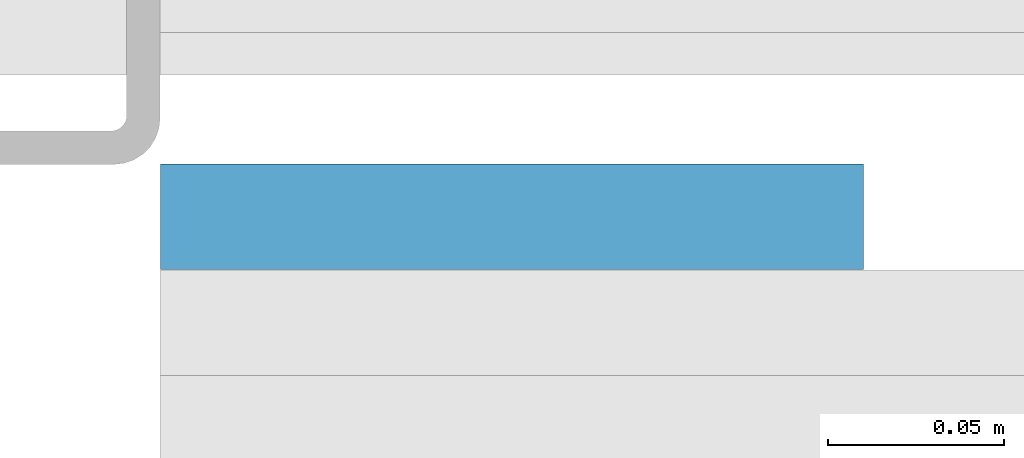
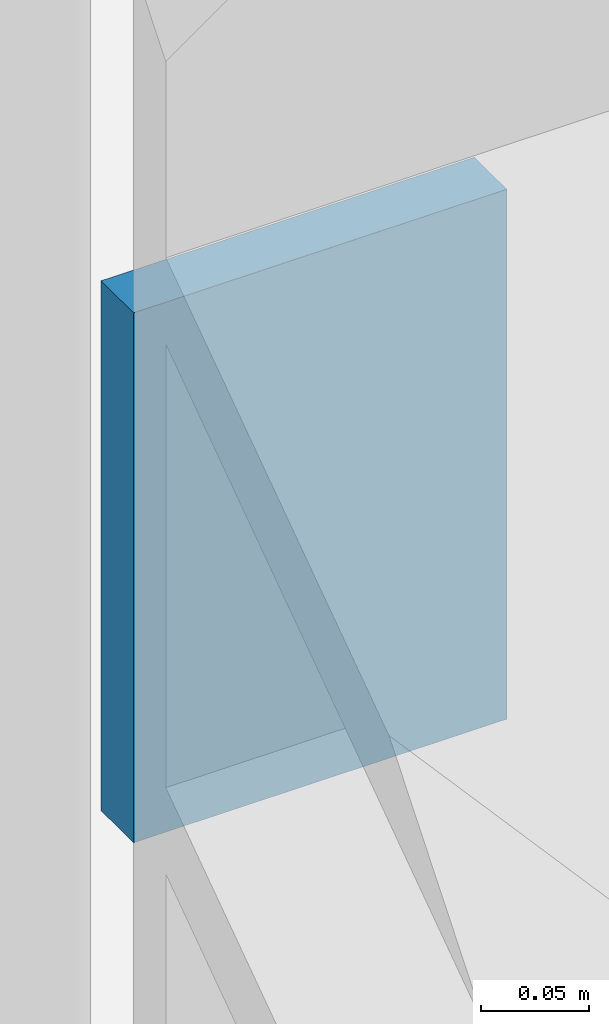
# One storey, part 19 of 28: 1 discrete accessory.
"""IFC4 building model written with IfcOpenShell, lengths in metres."""

from ifc_helpers import new_model, si_unit, direction, frame, origin, origin_2d, place, context, subcontext, project, spatial, rectangle, extrude, material, type_object, element, save


model = new_model("IFC4")

# Units and contexts
model_context = context("Model", 3, precision=1e-05, world=origin(), true_north=direction((0.0, 1.0)))
body_context = subcontext(model_context, "Body", "Model", "MODEL_VIEW")
ifc_project = project(units=[si_unit("LENGTHUNIT", "METRE"), si_unit("AREAUNIT", "SQUARE_METRE"), si_unit("VOLUMEUNIT", "CUBIC_METRE"), si_unit("PLANEANGLEUNIT", "RADIAN"), si_unit("MASSUNIT", "GRAM", prefix="KILO")], contexts=[model_context])

# Site, building, storey
site_placement = place(None, origin())
site = spatial("IfcSite", under=ifc_project, at=site_placement, CompositionType="ELEMENT")
building_placement = place(site_placement, origin())
building = spatial("IfcBuilding", under=site, at=building_placement, Name="Madar Terraces", CompositionType="ELEMENT")
storey_placement = place(building_placement, frame((0.0, 0.0, 310.10009765625)))
storey = spatial("IfcBuildingStorey", under=building, at=storey_placement, Name="L80", CompositionType="ELEMENT", Elevation=310.10009765625)

# Discrete accessory
ifc_material = material(Name="Steel, galvanised", Category="steel")
discrete_accessory_type = type_object("IfcDiscreteAccessoryType", Name="Louvre bank bracket", PredefinedType="BRACKET", material=ifc_material)
discrete_accessory_placement = place(storey_placement, frame((24.441650390625, 1.05810546875, 1.44873046875), z_axis=(0.0, 0.0, 1.0), x_axis=(1.0, 0.0, 0.0)))
element("IfcDiscreteAccessory", 1, at=discrete_accessory_placement, inside=storey, type_object=discrete_accessory_type, Name="Louvre bank bracket", PredefinedType="BRACKET", context=body_context, shape_type="SweptSolid", body=[
    extrude(rectangle(XDim=0.199951171875, YDim=0.030029296875, at=origin_2d()), origin(), (0.0, 0.0, 1.0), 0.300048828125),
])

save(model, "model.ifc")
